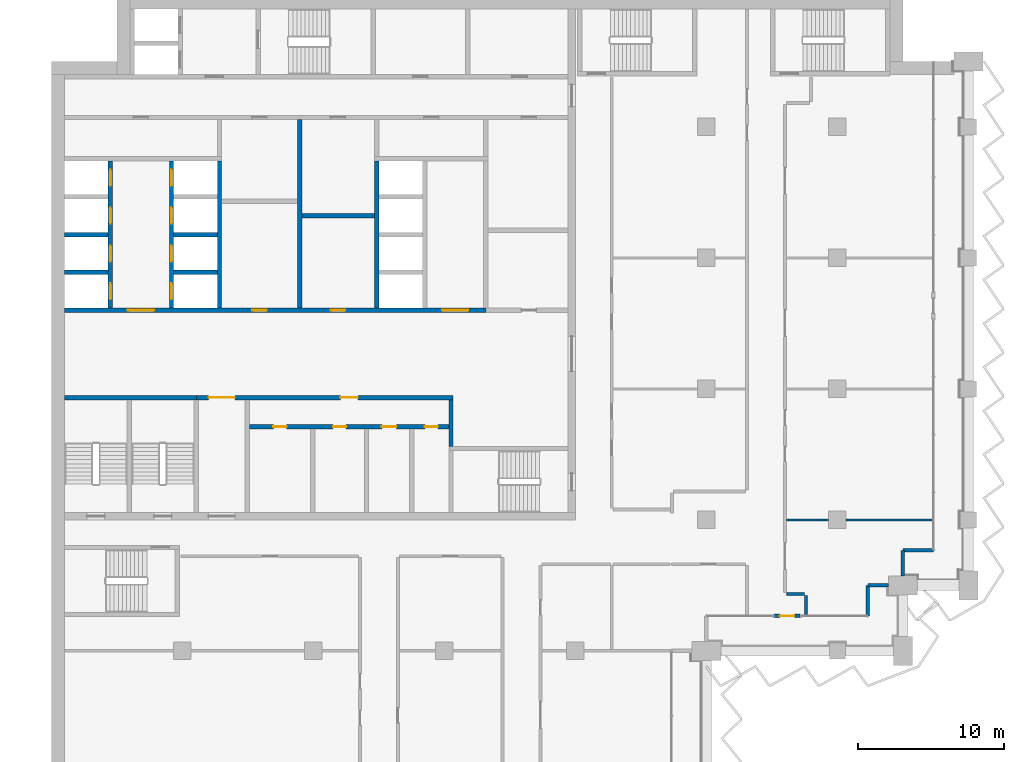
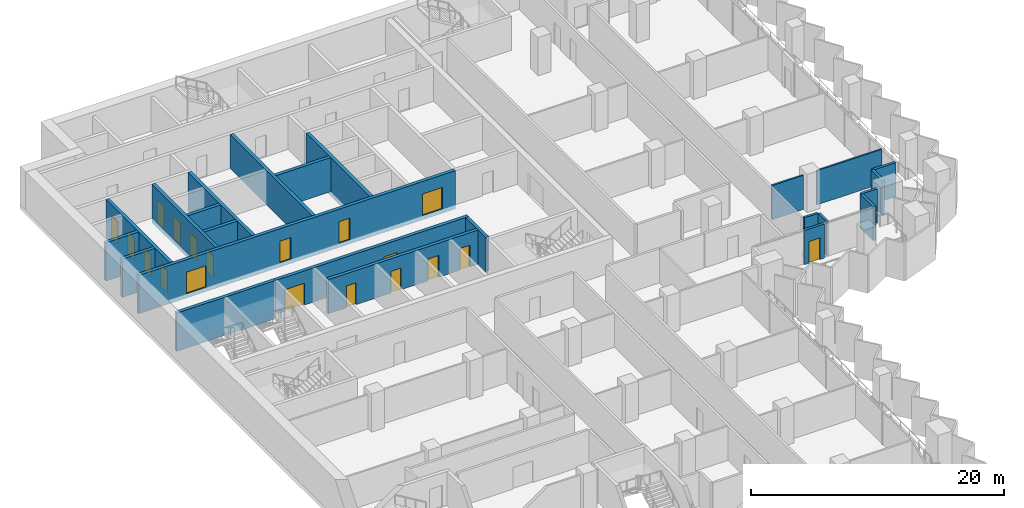
# One storey, part 13 of 23: 24 walls, 19 doors, 19 openings.
"""IFC4 building model written with IfcOpenShell, lengths in metres."""

import ifcopenshell
import ifcopenshell.guid

model = None  # the IFC model being written
_history = None  # IfcOwnerHistory: only IFC2X3 demands one
_inside = {}  # id of a spatial element -> (the spatial element, [elements in it])
_under = {}  # id of a project, library or spatial element -> (it, [spatial elements below it])
_declared = {}  # id of a project -> (the project, [libraries it declares])
_typed = {}  # id of a type object -> (the type object, [elements of that type])
_made_of = {}  # id of a material, layer set ... -> (it, [elements and type objects made of it])


def new_model(schema):
    """Start an empty IFC model of exactly this schema.

    Asked for "IFC4X3", IfcOpenShell would pick the latest addendum, in which some entities
    have other attributes; the version numbers below select the first issue.
    IFC2X3 requires an IfcOwnerHistory on every rooted entity: one is made here for all.
    """
    global model, _history
    if schema == "IFC4X3":
        model = ifcopenshell.file(schema_version=(4, 3, 0, 0))
    else:
        model = ifcopenshell.file(schema=schema)
    _inside.clear()
    _under.clear()
    _declared.clear()
    _typed.clear()
    _made_of.clear()
    _history = None
    if model.schema == "IFC2X3":
        org = make("IfcOrganization", Name="unknown")
        user = make(
            "IfcPersonAndOrganization",
            ThePerson=make("IfcPerson", FamilyName="unknown"),
            TheOrganization=org,
        )
        app = make(
            "IfcApplication",
            ApplicationDeveloper=org,
            Version="unknown",
            ApplicationFullName="unknown",
            ApplicationIdentifier="unknown",
        )
        _history = make(
            "IfcOwnerHistory",
            OwningUser=user,
            OwningApplication=app,
            ChangeAction="ADDED",
            CreationDate=0,
        )
    return model


def make(cls, **values):
    """One entity of the class cls with the attributes given. An attribute that is None is left unset."""
    return model.create_entity(
        cls, **{name: value for name, value in values.items() if value is not None}
    )


def rooted(cls, **values):
    """An entity with a GlobalId (a new one), such as an element, a storey or a relation."""
    return make(cls, GlobalId=ifcopenshell.guid.new(), OwnerHistory=_history, **values)


def si_unit(unit_type, name, prefix=None):
    """IfcSIUnit, for example si_unit("LENGTHUNIT", "METRE", prefix="MILLI")."""
    return make("IfcSIUnit", UnitType=unit_type, Prefix=prefix, Name=name)


def assignment(units):
    """IfcUnitAssignment: the units of a project."""
    return None if units is None else make("IfcUnitAssignment", Units=units)


def point(xyz):
    """IfcCartesianPoint."""
    return None if xyz is None else make("IfcCartesianPoint", Coordinates=xyz)


def direction(xyz):
    """IfcDirection."""
    return None if xyz is None else make("IfcDirection", DirectionRatios=xyz)


def frame(location, z_axis=None, x_axis=None):
    """IfcAxis2Placement3D, a coordinate frame: its origin and axes. An axis left out is left unset."""
    return make(
        "IfcAxis2Placement3D",
        Location=point(location),
        Axis=direction(z_axis),
        RefDirection=direction(x_axis),
    )


def frame_2d(location, x_axis=None):
    """IfcAxis2Placement2D, a coordinate frame in the plane: its origin and x axis."""
    return make(
        "IfcAxis2Placement2D", Location=point(location), RefDirection=direction(x_axis)
    )


def origin():
    """The frame at (0, 0, 0) with its axes left unset."""
    return frame((0.0, 0.0, 0.0))


def place(relative_to, where):
    """IfcLocalPlacement: puts the frame where relative to a parent placement (None: the world)."""
    return make(
        "IfcLocalPlacement", PlacementRelTo=relative_to, RelativePlacement=where
    )


def context(
    kind, dimensions, precision=None, world=None, true_north=None, identifier=None
):
    """IfcGeometricRepresentationContext, for example the 3D "Model" context."""
    return make(
        "IfcGeometricRepresentationContext",
        ContextIdentifier=identifier,
        ContextType=kind,
        CoordinateSpaceDimension=dimensions,
        Precision=precision,
        WorldCoordinateSystem=world,
        TrueNorth=true_north,
    )


def subcontext(parent, identifier, kind, view, scale=None):
    """IfcGeometricRepresentationSubContext, for example "Body" below "Model"."""
    return make(
        "IfcGeometricRepresentationSubContext",
        ContextIdentifier=identifier,
        ContextType=kind,
        ParentContext=parent,
        TargetScale=scale,
        TargetView=view,
    )


def project(units=None, contexts=None):
    """IfcProject with its units and contexts."""
    return rooted(
        "IfcProject",
        Name="project",
        RepresentationContexts=contexts,
        UnitsInContext=assignment(units),
    )


def spatial(cls, under=None, at=None, **own):
    """A site, building, storey or space (cls), placed at a placement, below another one or the project."""
    s = rooted(cls, ObjectPlacement=at, **own)
    if under is not None:
        _under.setdefault(under.id(), (under, []))[1].append(s)
    return s


def profile(cls, at=None, kind="AREA", **sizes):
    """A parametric profile (cls). Its sizes go by their IFC names, for example OverallWidth=200.0."""
    return make(cls, ProfileType=kind, Position=at, **sizes)


def rectangle(**sizes):
    """IfcRectangleProfileDef."""
    return profile("IfcRectangleProfileDef", **sizes)


def extrude(swept, where, along, depth):
    """IfcExtrudedAreaSolid: the profile swept, set in the frame where, extruded along a direction by depth."""
    return make(
        "IfcExtrudedAreaSolid",
        SweptArea=swept,
        Position=where,
        ExtrudedDirection=direction(along),
        Depth=depth,
    )


def shape(context_of_items, identifier, shape_type, items):
    """IfcShapeRepresentation: the items that make up one representation, for example the "Body"."""
    return make(
        "IfcShapeRepresentation",
        ContextOfItems=context_of_items,
        RepresentationIdentifier=identifier,
        RepresentationType=shape_type,
        Items=items,
    )


def material(Name=None, Category=None):
    """IfcMaterial."""
    return make("IfcMaterial", Name=Name, Category=Category)


def layer(
    of_material, thickness, ventilated=None, Name=None, Category=None, Priority=None
):
    """IfcMaterialLayer: one layer of a wall or slab, of a material (None: an air gap)."""
    return make(
        "IfcMaterialLayer",
        Material=of_material,
        LayerThickness=thickness,
        IsVentilated=ventilated,
        Name=Name,
        Category=Category,
        Priority=Priority,
    )


def layer_set(layers, Name=None):
    """IfcMaterialLayerSet."""
    return make("IfcMaterialLayerSet", MaterialLayers=layers, LayerSetName=Name)


def made_of(thing, what):
    """Note that an element or type object is made of a material, layer set ...; save() writes the relation."""
    if what is not None:
        _made_of.setdefault(what.id(), (what, []))[1].append(thing)
    return thing


def type_object(cls, material=None, **own):
    """A type object (cls), such as IfcWallType, which elements share."""
    return made_of(rooted(cls, **own), material)


def element(
    cls,
    number,
    at=None,
    inside=None,
    cuts=None,
    type_object=None,
    material=None,
    context=None,
    identifier="Body",
    shape_type=None,
    held_by="IfcProductDefinitionShape",
    body=None,
    shapes=None,
    **own,
):
    """One element of the class cls, such as IfcWall. Its Tag is "e" and its number.

    at: its placement. inside: the storey or other place that contains it. cuts: it is an
    opening in that element (IfcRelVoidsElement). A single representation is given by context,
    identifier, shape_type and body (its items); several are given by shapes. held_by: the class
    of the entity that holds the representations. save() writes the other relations.
    """
    e = rooted(cls, Tag="e%d" % number, ObjectPlacement=at, **own)
    if body is not None:
        shapes = [shape(context, identifier, shape_type, body)]
    if shapes is not None:
        e.Representation = make(held_by, Representations=shapes)
    if inside is not None:
        _inside.setdefault(inside.id(), (inside, []))[1].append(e)
    if cuts is not None:
        rooted(
            "IfcRelVoidsElement", RelatingBuildingElement=cuts, RelatedOpeningElement=e
        )
    if type_object is not None:
        _typed.setdefault(type_object.id(), (type_object, []))[1].append(e)
    return made_of(e, material)


def fill(opening, filler):
    """IfcRelFillsElement: the door or window that sits in an opening."""
    return rooted(
        "IfcRelFillsElement",
        RelatingOpeningElement=opening,
        RelatedBuildingElement=filler,
    )


def aggregate(whole, parts):
    """IfcRelAggregates: a whole, such as a stair, and the parts it consists of."""
    return rooted("IfcRelAggregates", RelatingObject=whole, RelatedObjects=parts)


def save(model, path):
    """Write the relations noted so far, then the file.

    IfcRelAggregates (storeys below a building ...), IfcRelContainedInSpatialStructure (elements
    in a storey), IfcRelDefinesByType, IfcRelAssociatesMaterial and IfcRelDeclares: one each for
    every whole, place, type object, material and project.
    """
    for whole, parts in _under.values():
        aggregate(whole, parts)
    for where, things in _inside.values():
        rooted(
            "IfcRelContainedInSpatialStructure",
            RelatedElements=things,
            RelatingStructure=where,
        )
    for kind, things in _typed.values():
        rooted("IfcRelDefinesByType", RelatedObjects=things, RelatingType=kind)
    for what, things in _made_of.values():
        rooted("IfcRelAssociatesMaterial", RelatedObjects=things, RelatingMaterial=what)
    for by, libraries in _declared.values():
        rooted("IfcRelDeclares", RelatingContext=by, RelatedDefinitions=libraries)
    model.write(path)


model = new_model("IFC4")

# Units and contexts
model_context = context("Model", 3, precision=1e-05, world=origin(), true_north=direction((0.0, 1.0)))
body_context = subcontext(model_context, "Body", "Model", "MODEL_VIEW")
ifc_project = project(units=[si_unit("LENGTHUNIT", "METRE"), si_unit("AREAUNIT", "SQUARE_METRE"), si_unit("VOLUMEUNIT", "CUBIC_METRE"), si_unit("PLANEANGLEUNIT", "RADIAN"), si_unit("MASSUNIT", "GRAM", prefix="KILO")], contexts=[model_context])

# Site, building, storey
site_placement = place(None, origin())
site = spatial("IfcSite", under=ifc_project, at=site_placement, CompositionType="ELEMENT")
building_placement = place(site_placement, origin())
building = spatial("IfcBuilding", under=site, at=building_placement, Name="Hunhe Ridgeline Campus", CompositionType="ELEMENT")
storey_placement = place(building_placement, frame((0.0, 0.0, 170.800048828125)))
storey = spatial("IfcBuildingStorey", under=building, at=storey_placement, Name="L43", CompositionType="ELEMENT", Elevation=170.800048828125)

# Wall, openings, doors
ifc_material_1 = material(Name="Masonry concrete blockwork", Category="masonry")
ifc_layer_1 = layer(ifc_material_1, 0.300048828125)
ifc_layer_set_1 = layer_set([ifc_layer_1], Name="Core room partition 300 concrete block")
wall_type_1 = type_object("IfcWallType", Name="Core room partition 300 concrete block", PredefinedType="PARTITIONING", material=ifc_layer_set_1)
wall_1_placement = place(storey_placement, frame((13.60009765625, 69.39990234375, 0.0), z_axis=(0.0, 0.0, 1.0), x_axis=(1.0, 0.0, 0.0)))
wall_1 = element("IfcWall", 1, at=wall_1_placement, inside=storey, type_object=wall_type_1, Name="L43 core partition 9", PredefinedType="PARTITIONING", context=body_context, shape_type="SweptSolid", body=[
    extrude(rectangle(XDim=13.699951171875, YDim=0.300048828125, at=frame_2d((6.85009765625, 0.0))), origin(), (0.0, 0.0, 1.0), 3.300048828125),
])
opening_1_placement = place(wall_1_placement, frame((1.64990234375, 0.0, 0.0)))
opening_1 = element("IfcOpeningElement", 2, at=opening_1_placement, cuts=wall_1, Name="Opening CD8", PredefinedType="OPENING", context=body_context, shape_type="SweptSolid", body=[
    extrude(rectangle(XDim=0.89990234375, YDim=2.10009765625, at=frame_2d((0.449951171875, 1.050048828125))), frame((0.0, 0.14990234375, 0.0), z_axis=(0.0, -1.0, 0.0), x_axis=(1.0, 0.0, 0.0)), (0.0, 0.0, 1.0), 0.300048828125),
])
opening_2_placement = place(wall_1_placement, frame((5.75, 0.0, 0.0)))
opening_2 = element("IfcOpeningElement", 3, at=opening_2_placement, cuts=wall_1, Name="Opening CD9", PredefinedType="OPENING", context=body_context, shape_type="SweptSolid", body=[
    extrude(rectangle(XDim=0.89990234375, YDim=2.10009765625, at=frame_2d((0.449951171875, 1.050048828125))), frame((0.0, 0.14990234375, 0.0), z_axis=(0.0, -1.0, 0.0), x_axis=(1.0, 0.0, 0.0)), (0.0, 0.0, 1.0), 0.300048828125),
])
opening_3_placement = place(wall_1_placement, frame((9.10009765625, 0.0, 0.0)))
opening_3 = element("IfcOpeningElement", 4, at=opening_3_placement, cuts=wall_1, Name="Opening CD10", PredefinedType="OPENING", context=body_context, shape_type="SweptSolid", body=[
    extrude(rectangle(XDim=1.0, YDim=2.10009765625, at=frame_2d((0.5, 1.050048828125))), frame((0.0, 0.14990234375, 0.0), z_axis=(0.0, -1.0, 0.0), x_axis=(1.0, 0.0, 0.0)), (0.0, 0.0, 1.0), 0.300048828125),
])
opening_4_placement = place(wall_1_placement, frame((12.050048828125, 0.0, 0.0)))
opening_4 = element("IfcOpeningElement", 5, at=opening_4_placement, cuts=wall_1, Name="Opening CD11", PredefinedType="OPENING", context=body_context, shape_type="SweptSolid", body=[
    extrude(rectangle(XDim=0.89990234375, YDim=2.10009765625, at=frame_2d((0.449951171875, 1.050048828125))), frame((0.0, 0.14990234375, 0.0), z_axis=(0.0, -1.0, 0.0), x_axis=(1.0, 0.0, 0.0)), (0.0, 0.0, 1.0), 0.300048828125),
])
ifc_material_2 = material(Name="Solid core timber door leaf", Category="wood")
door_type_1 = type_object("IfcDoorType", Name="Timber door 1000x2100", OperationType="SINGLE_SWING_LEFT", PredefinedType="DOOR", material=ifc_material_2)
door_1_placement = place(opening_3_placement, frame((1.0, 0.0, 0.0), z_axis=(0.0, 0.0, 1.0), x_axis=(-1.0, 0.0, 0.0)))
door_1 = element("IfcDoor", 6, at=door_1_placement, inside=storey, type_object=door_type_1, Name="L43 door WC3", OperationType="SINGLE_SWING_RIGHT", OverallHeight=2.10009765625, OverallWidth=1.0, PredefinedType="DOOR", context=body_context, shape_type="SweptSolid", body=[
    extrude(rectangle(XDim=1.0, YDim=2.10009765625, at=frame_2d((0.5, 1.050048828125))), frame((0.0, 0.02490234375, 0.0), z_axis=(0.0, -1.0, 0.0), x_axis=(1.0, 0.0, 0.0)), (0.0, 0.0, 1.0), 0.050048828125),
])
fill(opening_3, door_1)
door_type_2 = type_object("IfcDoorType", Name="Timber door 900x2100", OperationType="SINGLE_SWING_LEFT", PredefinedType="DOOR", material=ifc_material_2)
door_2_placement = place(opening_1_placement, frame((0.89990234375, 0.0, 0.0), z_axis=(0.0, 0.0, 1.0), x_axis=(-1.0, 0.0, 0.0)))
door_2 = element("IfcDoor", 7, at=door_2_placement, inside=storey, type_object=door_type_2, Name="L43 door WC1", OperationType="SINGLE_SWING_RIGHT", OverallHeight=2.10009765625, OverallWidth=0.89990234375, PredefinedType="DOOR", context=body_context, shape_type="SweptSolid", body=[
    extrude(rectangle(XDim=0.89990234375, YDim=2.10009765625, at=frame_2d((0.449951171875, 1.050048828125))), frame((0.0, 0.02490234375, 0.0), z_axis=(0.0, -1.0, 0.0), x_axis=(1.0, 0.0, 0.0)), (0.0, 0.0, 1.0), 0.050048828125),
])
fill(opening_1, door_2)
door_3_placement = place(opening_2_placement, frame((0.89990234375, 0.0, 0.0), z_axis=(0.0, 0.0, 1.0), x_axis=(-1.0, 0.0, 0.0)))
door_3 = element("IfcDoor", 8, at=door_3_placement, inside=storey, type_object=door_type_2, Name="L43 door WC2", OperationType="SINGLE_SWING_LEFT", OverallHeight=2.10009765625, OverallWidth=0.89990234375, PredefinedType="DOOR", context=body_context, shape_type="SweptSolid", body=[
    extrude(rectangle(XDim=0.89990234375, YDim=2.10009765625, at=frame_2d((0.449951171875, 1.050048828125))), frame((0.0, 0.02490234375, 0.0), z_axis=(0.0, -1.0, 0.0), x_axis=(1.0, 0.0, 0.0)), (0.0, 0.0, 1.0), 0.050048828125),
])
fill(opening_2, door_3)
door_4_placement = place(opening_4_placement, frame((0.89990234375, 0.0, 0.0), z_axis=(0.0, 0.0, 1.0), x_axis=(-1.0, 0.0, 0.0)))
door_4 = element("IfcDoor", 9, at=door_4_placement, inside=storey, type_object=door_type_2, Name="L43 door WC4", OperationType="SINGLE_SWING_LEFT", OverallHeight=2.10009765625, OverallWidth=0.89990234375, PredefinedType="DOOR", context=body_context, shape_type="SweptSolid", body=[
    extrude(rectangle(XDim=0.89990234375, YDim=2.10009765625, at=frame_2d((0.449951171875, 1.050048828125))), frame((0.0, 0.02490234375, 0.0), z_axis=(0.0, -1.0, 0.0), x_axis=(1.0, 0.0, 0.0)), (0.0, 0.0, 1.0), 0.050048828125),
])
fill(opening_4, door_4)

wall_2_placement = place(storey_placement, frame((9.949951171875, 71.39990234375, 0.0), z_axis=(0.0, 0.0, 1.0), x_axis=(1.0, 0.0, 0.0)))
wall_2 = element("IfcWall", 10, at=wall_2_placement, inside=storey, type_object=wall_type_1, Name="L43 core partition 11", PredefinedType="PARTITIONING", context=body_context, shape_type="SweptSolid", body=[
    extrude(rectangle(XDim=17.650146484375, YDim=0.300048828125, at=frame_2d((8.8251953125, 0.0))), origin(), (0.0, 0.0, 1.0), 3.300048828125),
])
opening_5_placement = place(wall_2_placement, frame((0.85009765625, 0.0, 0.0)))
opening_5 = element("IfcOpeningElement", 11, at=opening_5_placement, cuts=wall_2, Name="Opening CD7", PredefinedType="OPENING", context=body_context, shape_type="SweptSolid", body=[
    extrude(rectangle(XDim=1.800048828125, YDim=2.10009765625, at=frame_2d((0.89990234375, 1.050048828125))), frame((0.0, 0.14990234375, 0.0), z_axis=(0.0, -1.0, 0.0), x_axis=(1.0, 0.0, 0.0)), (0.0, 0.0, 1.0), 0.300048828125),
])
opening_6_placement = place(wall_2_placement, frame((9.89990234375, 0.0, 0.0)))
opening_6 = element("IfcOpeningElement", 12, at=opening_6_placement, cuts=wall_2, Name="Opening CD12", PredefinedType="OPENING", context=body_context, shape_type="SweptSolid", body=[
    extrude(rectangle(XDim=1.199951171875, YDim=2.10009765625, at=frame_2d((0.60009765625, 1.050048828125))), frame((0.0, 0.14990234375, 0.0), z_axis=(0.0, -1.0, 0.0), x_axis=(1.0, 0.0, 0.0)), (0.0, 0.0, 1.0), 0.300048828125),
])
ifc_material_3 = material(Name="Anodised aluminium and glass", Category="aluminium")
door_type_3 = type_object("IfcDoorType", Name="Glazed double door 1800x2100", OperationType="DOUBLE_DOOR_SINGLE_SWING", PredefinedType="DOOR", material=ifc_material_3)
door_5_placement = place(opening_5_placement, origin())
door_5 = element("IfcDoor", 13, at=door_5_placement, inside=storey, type_object=door_type_3, Name="L43 door VEST-HALL", OperationType="DOUBLE_DOOR_SINGLE_SWING", OverallHeight=2.10009765625, OverallWidth=1.800048828125, PredefinedType="DOOR", context=body_context, shape_type="SweptSolid", body=[
    extrude(rectangle(XDim=1.800048828125, YDim=2.10009765625, at=frame_2d((0.89990234375, 1.050048828125))), frame((0.0, 0.02490234375, 0.0), z_axis=(0.0, -1.0, 0.0), x_axis=(1.0, 0.0, 0.0)), (0.0, 0.0, 1.0), 0.050048828125),
])
fill(opening_5, door_5)
door_type_4 = type_object("IfcDoorType", Name="Timber door 1200x2100", OperationType="SINGLE_SWING_LEFT", PredefinedType="DOOR", material=ifc_material_2)
door_6_placement = place(opening_6_placement, origin())
door_6 = element("IfcDoor", 14, at=door_6_placement, inside=storey, type_object=door_type_4, Name="L43 door WCL2-HALL", OperationType="SINGLE_SWING_LEFT", OverallHeight=2.10009765625, OverallWidth=1.199951171875, PredefinedType="DOOR", context=body_context, shape_type="SweptSolid", body=[
    extrude(rectangle(XDim=1.199951171875, YDim=2.10009765625, at=frame_2d((0.60009765625, 1.050048828125))), frame((0.0, 0.02490234375, 0.0), z_axis=(0.0, -1.0, 0.0), x_axis=(1.0, 0.0, 0.0)), (0.0, 0.0, 1.0), 0.050048828125),
])
fill(opening_6, door_6)

# Walls
wall_3_placement = place(storey_placement, frame((17.199951171875, 83.89990234375, 0.0), z_axis=(0.0, 0.0, 1.0), x_axis=(1.0, 0.0, 0.0)))
element("IfcWall", 15, at=wall_3_placement, inside=storey, type_object=wall_type_1, Name="L43 core partition 21", PredefinedType="PARTITIONING", context=body_context, shape_type="SweptSolid", body=[
    extrude(rectangle(XDim=5.0, YDim=0.300048828125, at=frame_2d((2.5, 0.0))), origin(), (0.0, 0.0, 1.0), 3.300048828125),
])
wall_4_placement = place(storey_placement, frame((17.050048828125, 77.550048828125, 0.0), z_axis=(0.0, 0.0, 1.0), x_axis=(0.0, 1.0, 0.0)))
element("IfcWall", 16, at=wall_4_placement, inside=storey, type_object=wall_type_1, Name="L43 core partition 45", PredefinedType="PARTITIONING", context=body_context, shape_type="SweptSolid", body=[
    extrude(rectangle(XDim=12.949951171875, YDim=0.300048828125, at=frame_2d((6.47509765625, 0.0))), origin(), (0.0, 0.0, 1.0), 3.300048828125),
])
wall_5_placement = place(storey_placement, frame((27.449951171875, 68.050048828125, 0.0), z_axis=(0.0, 0.0, 1.0), x_axis=(0.0, 1.0, 0.0)))
element("IfcWall", 17, at=wall_5_placement, inside=storey, type_object=wall_type_1, Name="L43 core partition 56", PredefinedType="PARTITIONING", context=body_context, shape_type="SweptSolid", body=[
    extrude(rectangle(XDim=3.199951171875, YDim=0.300048828125, at=frame_2d((1.60009765625, 0.0))), origin(), (0.0, 0.0, 1.0), 3.300048828125),
])
ifc_material_4 = material(Name="Concrete C30", Category="concrete")
ifc_layer_2 = layer(ifc_material_4, 0.25)
ifc_layer_set_2 = layer_set([ifc_layer_2], Name="Corner return wall 250 Concrete C30")
wall_type_2 = type_object("IfcWallType", Name="Corner return wall 250 Concrete C30", PredefinedType="SOLIDWALL", material=ifc_layer_set_2)
wall_6_placement = place(storey_placement, frame((56.09912109375, 56.40087890625, 0.0), z_axis=(0.0, 0.0, 1.0), x_axis=(0.00011626555, 0.999999993241, 0.0)))
element("IfcWall", 18, at=wall_6_placement, inside=storey, type_object=wall_type_2, Name="Corner return wall 4", PredefinedType="SOLIDWALL", context=body_context, shape_type="SweptSolid", body=[
    extrude(rectangle(XDim=2.099853515625, YDim=0.25, at=frame_2d((1.0498046875, 0.0))), origin(), (0.0, 0.0, 1.0), 3.300048828125),
])
wall_7_placement = place(storey_placement, frame((56.099365234375, 58.500732421875, 0.0), z_axis=(0.0, 0.0, 1.0), x_axis=(0.999999984809, 0.000174307127, 0.0)))
element("IfcWall", 19, at=wall_7_placement, inside=storey, type_object=wall_type_2, Name="Corner return wall 5", PredefinedType="SOLIDWALL", context=body_context, shape_type="SweptSolid", body=[
    extrude(rectangle(XDim=1.400634765625, YDim=0.25, at=frame_2d((0.7001953125, 0.0))), origin(), (0.0, 0.0, 1.0), 3.300048828125),
])
wall_8_placement = place(storey_placement, frame((58.4990234375, 59.14990234375, 0.0), z_axis=(0.0, 0.0, 1.0), x_axis=(0.000139450563, 0.999999990277, 0.0)))
element("IfcWall", 20, at=wall_8_placement, inside=storey, type_object=wall_type_2, Name="Corner return wall 6", PredefinedType="SOLIDWALL", context=body_context, shape_type="SweptSolid", body=[
    extrude(rectangle(XDim=1.750732421875, YDim=0.25, at=frame_2d((0.87548828125, 0.0))), origin(), (0.0, 0.0, 1.0), 3.300048828125),
])
wall_9_placement = place(storey_placement, frame((58.499267578125, 60.900634765625, 0.0), z_axis=(0.0, 0.0, 1.0), x_axis=(0.999999993241, 0.00011626555, 0.0)))
element("IfcWall", 21, at=wall_9_placement, inside=storey, type_object=wall_type_2, Name="Corner return wall 7", PredefinedType="SOLIDWALL", context=body_context, shape_type="SweptSolid", body=[
    extrude(rectangle(XDim=2.099853515625, YDim=0.25, at=frame_2d((1.0498046875, 0.0))), origin(), (0.0, 0.0, 1.0), 3.300048828125),
])
ifc_material_5 = material(Name="Gypsum board partition")
ifc_layer_3 = layer(ifc_material_5, 0.199951171875)
ifc_layer_set_3 = layer_set([ifc_layer_3], Name="Corridor partition 200 gypsum board on steel studs")
wall_type_3 = type_object("IfcWallType", Name="Corridor partition 200 gypsum board on steel studs", PredefinedType="PARTITIONING", material=ifc_layer_set_3)
wall_10_placement = place(storey_placement, frame((50.5, 57.90087890625, 0.0), z_axis=(0.0, 0.0, 1.0), x_axis=(1.0, 0.0, 0.0)))
element("IfcWall", 22, at=wall_10_placement, inside=storey, type_object=wall_type_3, Name="F-L43-wall-042", PredefinedType="PARTITIONING", context=body_context, shape_type="SweptSolid", body=[
    extrude(rectangle(XDim=1.2490234375, YDim=0.199951171875, at=frame_2d((0.62451171875, 0.0))), origin(), (0.0, 0.0, 1.0), 3.300048828125),
])
wall_11_placement = place(storey_placement, frame((51.84912109375, 57.801025390625, 0.0), z_axis=(0.0, 0.0, 1.0), x_axis=(0.0, -1.0, 0.0)))
element("IfcWall", 23, at=wall_11_placement, inside=storey, type_object=wall_type_3, Name="F-L43-wall-079", PredefinedType="PARTITIONING", context=body_context, shape_type="SweptSolid", body=[
    extrude(rectangle(XDim=1.345947265625, YDim=0.199951171875, at=frame_2d((0.6728515625, 0.0))), origin(), (0.0, 0.0, 1.0), 3.300048828125),
])

# Wall, opening, door
ifc_layer_4 = layer(ifc_material_4, 0.25)
ifc_layer_set_4 = layer_set([ifc_layer_4], Name="Loggia door pier wall 250 Concrete C30")
wall_type_4 = type_object("IfcWallType", Name="Loggia door pier wall 250 Concrete C30", PredefinedType="SOLIDWALL", material=ifc_layer_set_4)
wall_12_placement = place(storey_placement, frame((49.6494140625, 56.40087890625, 0.0), z_axis=(0.0, 0.0, 1.0), x_axis=(1.0, 0.0, 0.0)))
wall_12 = element("IfcWall", 24, at=wall_12_placement, inside=storey, type_object=wall_type_4, Name="Loggia door pier 3", PredefinedType="SOLIDWALL", context=body_context, shape_type="SweptSolid", body=[
    extrude(rectangle(XDim=1.800048828125, YDim=0.25, at=frame_2d((0.89990234375, 0.0))), origin(), (0.0, 0.0, 1.0), 3.300048828125),
])
opening_7_placement = place(wall_12_placement, frame((0.39990234375, 0.0, 0.0)))
opening_7 = element("IfcOpeningElement", 25, at=opening_7_placement, cuts=wall_12, Name="Opening BD306", PredefinedType="OPENING", context=body_context, shape_type="SweptSolid", body=[
    extrude(rectangle(XDim=1.0, YDim=2.10009765625, at=frame_2d((0.5, 1.050048828125))), frame((0.0, 0.125, 0.0), z_axis=(0.0, -1.0, 0.0), x_axis=(1.0, 0.0, 0.0)), (0.0, 0.0, 1.0), 0.25),
])
ifc_material_6 = material(Name="Aluminium 6063", Category="aluminium")
door_type_5 = type_object("IfcDoorType", Name="Loggia glazed door 1000x2100", OperationType="NOTDEFINED", PredefinedType="DOOR", material=ifc_material_6)
door_7_placement = place(opening_7_placement, frame((1.0, 0.0, 0.0), z_axis=(0.0, 0.0, 1.0), x_axis=(-1.0, 0.0, 0.0)))
door_7 = element("IfcDoor", 26, at=door_7_placement, inside=storey, type_object=door_type_5, Name="Loggia door BD306", OperationType="SINGLE_SWING_LEFT", OverallHeight=2.10009765625, OverallWidth=1.0, PredefinedType="DOOR", context=body_context, shape_type="SweptSolid", body=[
    extrude(rectangle(XDim=1.0, YDim=2.10009765625, at=frame_2d((0.5, 1.050048828125))), frame((0.0, 0.02490234375, 0.0), z_axis=(0.0, -1.0, 0.0), x_axis=(1.0, 0.0, 0.0)), (0.0, 0.0, 1.0), 0.050048828125),
])
fill(opening_7, door_7)

# Walls
ifc_layer_5 = layer(ifc_material_5, 0.14990234375)
ifc_layer_set_5 = layer_set([ifc_layer_5], Name="Room partition 150 gypsum board on steel studs")
wall_type_5 = type_object("IfcWallType", Name="Room partition 150 gypsum board on steel studs", PredefinedType="PARTITIONING", material=ifc_layer_set_5)
wall_13_placement = place(storey_placement, frame((50.5, 63.0, 0.0), z_axis=(0.0, 0.0, 1.0), x_axis=(1.0, 0.0, 0.0)))
element("IfcWall", 27, at=wall_13_placement, inside=storey, type_object=wall_type_5, Name="F-L43-wall-048", PredefinedType="PARTITIONING", context=body_context, shape_type="SweptSolid", body=[
    extrude(rectangle(XDim=2.89990234375, YDim=0.14990234375, at=frame_2d((1.449951171875, 0.0))), origin(), (0.0, 0.0, 1.0), 3.300048828125),
])
wall_14_placement = place(storey_placement, frame((54.60009765625, 63.0, 0.0), z_axis=(0.0, 0.0, 1.0), x_axis=(1.0, 0.0, 0.0)))
element("IfcWall", 28, at=wall_14_placement, inside=storey, type_object=wall_type_5, Name="F-L43-wall-049", PredefinedType="PARTITIONING", context=body_context, shape_type="SweptSolid", body=[
    extrude(rectangle(XDim=5.94482421875, YDim=0.14990234375, at=frame_2d((2.972412109375, 0.0))), origin(), (0.0, 0.0, 1.0), 3.300048828125),
])

# Wall, openings, doors
ifc_material_7 = material(Name="Concrete C70", Category="concrete")
ifc_layer_6 = layer(ifc_material_7, 0.300048828125)
ifc_layer_set_6 = layer_set([ifc_layer_6], Name="Shaft wall 300 reinforced concrete C70")
wall_type_6 = type_object("IfcWallType", Name="Shaft wall 300 reinforced concrete C70", PredefinedType="SOLIDWALL", material=ifc_layer_set_6)
wall_15_placement = place(storey_placement, frame((0.89990234375, 77.39990234375, -0.400146484375), z_axis=(0.0, 0.0, 1.0), x_axis=(1.0, 0.0, 0.0)))
wall_15 = element("IfcWall", 29, at=wall_15_placement, inside=storey, type_object=wall_type_6, Name="L43 core wall 12", PredefinedType="SOLIDWALL", context=body_context, shape_type="SweptSolid", body=[
    extrude(rectangle(XDim=28.9501953125, YDim=0.300048828125, at=frame_2d((14.47509765625, 0.0))), origin(), (0.0, 0.0, 1.0), 3.7001953125),
])
opening_8_placement = place(wall_15_placement, frame((4.35009765625, 0.0, 0.39990234375)))
opening_8 = element("IfcOpeningElement", 30, at=opening_8_placement, cuts=wall_15, Name="Opening CD1", PredefinedType="OPENING", context=body_context, shape_type="SweptSolid", body=[
    extrude(rectangle(XDim=1.800048828125, YDim=2.10009765625, at=frame_2d((0.89990234375, 1.050048828125))), frame((0.0, 0.14990234375, 0.0), z_axis=(0.0, -1.0, 0.0), x_axis=(1.0, 0.0, 0.0)), (0.0, 0.0, 1.0), 0.300048828125),
])
opening_9_placement = place(wall_15_placement, frame((25.949951171875, 0.0, 0.39990234375)))
opening_9 = element("IfcOpeningElement", 31, at=opening_9_placement, cuts=wall_15, Name="Opening CD2", PredefinedType="OPENING", context=body_context, shape_type="SweptSolid", body=[
    extrude(rectangle(XDim=1.800048828125, YDim=2.10009765625, at=frame_2d((0.89990234375, 1.050048828125))), frame((0.0, 0.14990234375, 0.0), z_axis=(0.0, -1.0, 0.0), x_axis=(1.0, 0.0, 0.0)), (0.0, 0.0, 1.0), 0.300048828125),
])
opening_10_placement = place(wall_15_placement, frame((12.89990234375, 0.0, 0.39990234375)))
opening_10 = element("IfcOpeningElement", 32, at=opening_10_placement, cuts=wall_15, Name="Opening CD28", PredefinedType="OPENING", context=body_context, shape_type="SweptSolid", body=[
    extrude(rectangle(XDim=1.0, YDim=2.10009765625, at=frame_2d((0.5, 1.050048828125))), frame((0.0, 0.14990234375, 0.0), z_axis=(0.0, -1.0, 0.0), x_axis=(1.0, 0.0, 0.0)), (0.0, 0.0, 1.0), 0.300048828125),
])
opening_11_placement = place(wall_15_placement, frame((18.300048828125, 0.0, 0.39990234375)))
opening_11 = element("IfcOpeningElement", 33, at=opening_11_placement, cuts=wall_15, Name="Opening CD30", PredefinedType="OPENING", context=body_context, shape_type="SweptSolid", body=[
    extrude(rectangle(XDim=1.0, YDim=2.10009765625, at=frame_2d((0.5, 1.050048828125))), frame((0.0, 0.14990234375, 0.0), z_axis=(0.0, -1.0, 0.0), x_axis=(1.0, 0.0, 0.0)), (0.0, 0.0, 1.0), 0.300048828125),
])
ifc_material_8 = material(Name="Hollow metal fire door leaf")
door_type_6 = type_object("IfcDoorType", Name="Lobby door 1800x2100 FD60", OperationType="SINGLE_SWING_LEFT", PredefinedType="DOOR", material=ifc_material_8)
door_8_placement = place(opening_8_placement, frame((1.800048828125, 0.0, 0.0), z_axis=(0.0, 0.0, 1.0), x_axis=(-1.0, 0.0, 0.0)))
door_8 = element("IfcDoor", 34, at=door_8_placement, inside=storey, type_object=door_type_6, Name="L43 door LOB-LR", OperationType="SINGLE_SWING_RIGHT", OverallHeight=2.10009765625, OverallWidth=1.800048828125, PredefinedType="DOOR", context=body_context, shape_type="SweptSolid", body=[
    extrude(rectangle(XDim=1.800048828125, YDim=2.10009765625, at=frame_2d((0.89990234375, 1.050048828125))), frame((0.0, 0.02490234375, 0.0), z_axis=(0.0, -1.0, 0.0), x_axis=(1.0, 0.0, 0.0)), (0.0, 0.0, 1.0), 0.050048828125),
])
fill(opening_8, door_8)
door_9_placement = place(opening_9_placement, frame((1.800048828125, 0.0, 0.0), z_axis=(0.0, 0.0, 1.0), x_axis=(-1.0, 0.0, 0.0)))
door_9 = element("IfcDoor", 35, at=door_9_placement, inside=storey, type_object=door_type_6, Name="L43 door LOB-SH", OperationType="SINGLE_SWING_LEFT", OverallHeight=2.10009765625, OverallWidth=1.800048828125, PredefinedType="DOOR", context=body_context, shape_type="SweptSolid", body=[
    extrude(rectangle(XDim=1.800048828125, YDim=2.10009765625, at=frame_2d((0.89990234375, 1.050048828125))), frame((0.0, 0.02490234375, 0.0), z_axis=(0.0, -1.0, 0.0), x_axis=(1.0, 0.0, 0.0)), (0.0, 0.0, 1.0), 0.050048828125),
])
fill(opening_9, door_9)
door_10_placement = place(opening_10_placement, origin())
door_10 = element("IfcDoor", 36, at=door_10_placement, inside=storey, type_object=door_type_1, Name="L43 door VD-HR0", OperationType="SINGLE_SWING_RIGHT", OverallHeight=2.10009765625, OverallWidth=1.0, PredefinedType="DOOR", context=body_context, shape_type="SweptSolid", body=[
    extrude(rectangle(XDim=1.0, YDim=2.10009765625, at=frame_2d((0.5, 1.050048828125))), frame((0.0, 0.02490234375, 0.0), z_axis=(0.0, -1.0, 0.0), x_axis=(1.0, 0.0, 0.0)), (0.0, 0.0, 1.0), 0.050048828125),
])
fill(opening_10, door_10)
door_11_placement = place(opening_11_placement, origin())
door_11 = element("IfcDoor", 37, at=door_11_placement, inside=storey, type_object=door_type_1, Name="L43 door VD-HR2", OperationType="SINGLE_SWING_RIGHT", OverallHeight=2.10009765625, OverallWidth=1.0, PredefinedType="DOOR", context=body_context, shape_type="SweptSolid", body=[
    extrude(rectangle(XDim=1.0, YDim=2.10009765625, at=frame_2d((0.5, 1.050048828125))), frame((0.0, 0.02490234375, 0.0), z_axis=(0.0, -1.0, 0.0), x_axis=(1.0, 0.0, 0.0)), (0.0, 0.0, 1.0), 0.050048828125),
])
fill(opening_11, door_11)

# Walls
for number, where, z_axis, x_axis, name in (
    (38, (0.89990234375, 80.0, -0.400146484375), (0.0, 0.0, 1.0), (1.0, 0.0, 0.0), "L43 core wall 14"),
    (39, (8.39990234375, 80.0, -0.400146484375), (0.0, 0.0, 1.0), (1.0, 0.0, 0.0), "L43 core wall 15"),
    (40, (0.89990234375, 82.60009765625, -0.400146484375), (0.0, 0.0, 1.0), (1.0, 0.0, 0.0), "L43 core wall 17"),
    (41, (8.39990234375, 82.60009765625, -0.400146484375), (0.0, 0.0, 1.0), (1.0, 0.0, 0.0), "L43 core wall 18"),
):
    element("IfcWall", number, at=place(storey_placement, frame(where, z_axis=z_axis, x_axis=x_axis)), inside=storey, type_object=wall_type_6, Name=name, PredefinedType="SOLIDWALL", context=body_context, shape_type="SweptSolid", body=[
        extrude(rectangle(XDim=3.0, YDim=0.300048828125, at=frame_2d((1.5, 0.0))), origin(), (0.0, 0.0, 1.0), 3.7001953125),
    ])

# Wall, openings, doors
wall_16_placement = place(storey_placement, frame((4.050048828125, 77.550048828125, -0.400146484375), z_axis=(0.0, 0.0, 1.0), x_axis=(0.0, 1.0, 0.0)))
wall_16 = element("IfcWall", 42, at=wall_16_placement, inside=storey, type_object=wall_type_6, Name="L43 core wall 33", PredefinedType="SOLIDWALL", context=body_context, shape_type="SweptSolid", body=[
    extrude(rectangle(XDim=10.099853515625, YDim=0.300048828125, at=frame_2d((5.0498046875, 0.0))), origin(), (0.0, 0.0, 1.0), 3.7001953125),
])
opening_12_placement = place(wall_16_placement, frame((0.60009765625, 0.0, 0.39990234375)))
opening_12 = element("IfcOpeningElement", 43, at=opening_12_placement, cuts=wall_16, Name="Opening LD-LR1", PredefinedType="OPENING", context=body_context, shape_type="SweptSolid", body=[
    extrude(rectangle(XDim=1.10009765625, YDim=2.10009765625, at=frame_2d((0.550048828125, 1.050048828125))), frame((0.0, 0.14990234375, 0.0), z_axis=(0.0, -1.0, 0.0), x_axis=(1.0, 0.0, 0.0)), (0.0, 0.0, 1.0), 0.300048828125),
])
opening_13_placement = place(wall_16_placement, frame((3.199951171875, 0.0, 0.39990234375)))
opening_13 = element("IfcOpeningElement", 44, at=opening_13_placement, cuts=wall_16, Name="Opening LD-LR2", PredefinedType="OPENING", context=body_context, shape_type="SweptSolid", body=[
    extrude(rectangle(XDim=1.10009765625, YDim=2.10009765625, at=frame_2d((0.550048828125, 1.050048828125))), frame((0.0, 0.14990234375, 0.0), z_axis=(0.0, -1.0, 0.0), x_axis=(1.0, 0.0, 0.0)), (0.0, 0.0, 1.0), 0.300048828125),
])
opening_14_placement = place(wall_16_placement, frame((5.800048828125, 0.0, 0.39990234375)))
opening_14 = element("IfcOpeningElement", 45, at=opening_14_placement, cuts=wall_16, Name="Opening LD-LR3", PredefinedType="OPENING", context=body_context, shape_type="SweptSolid", body=[
    extrude(rectangle(XDim=1.10009765625, YDim=2.10009765625, at=frame_2d((0.550048828125, 1.050048828125))), frame((0.0, 0.14990234375, 0.0), z_axis=(0.0, -1.0, 0.0), x_axis=(1.0, 0.0, 0.0)), (0.0, 0.0, 1.0), 0.300048828125),
])
opening_15_placement = place(wall_16_placement, frame((8.39990234375, 0.0, 0.39990234375)))
opening_15 = element("IfcOpeningElement", 46, at=opening_15_placement, cuts=wall_16, Name="Opening LD-LR4", PredefinedType="OPENING", context=body_context, shape_type="SweptSolid", body=[
    extrude(rectangle(XDim=1.10009765625, YDim=2.10009765625, at=frame_2d((0.550048828125, 1.050048828125))), frame((0.0, 0.14990234375, 0.0), z_axis=(0.0, -1.0, 0.0), x_axis=(1.0, 0.0, 0.0)), (0.0, 0.0, 1.0), 0.300048828125),
])
ifc_material_9 = material(Name="Stainless steel sliding leaves", Category="steel")
door_type_7 = type_object("IfcDoorType", Name="Landing door 1100x2100 FD120", OperationType="SLIDING_TO_LEFT", PredefinedType="DOOR", material=ifc_material_9)
door_12_placement = place(opening_12_placement, origin())
door_12 = element("IfcDoor", 47, at=door_12_placement, inside=storey, type_object=door_type_7, Name="L43 landing door LR1", OperationType="SLIDING_TO_RIGHT", OverallHeight=2.10009765625, OverallWidth=1.10009765625, PredefinedType="DOOR", context=body_context, shape_type="SweptSolid", body=[
    extrude(rectangle(XDim=1.10009765625, YDim=2.10009765625, at=frame_2d((0.550048828125, 1.050048828125))), frame((0.0, 0.02490234375, 0.0), z_axis=(0.0, -1.0, 0.0), x_axis=(1.0, 0.0, 0.0)), (0.0, 0.0, 1.0), 0.050048828125),
])
fill(opening_12, door_12)
door_13_placement = place(opening_13_placement, origin())
door_13 = element("IfcDoor", 48, at=door_13_placement, inside=storey, type_object=door_type_7, Name="L43 landing door LR2", OperationType="SLIDING_TO_LEFT", OverallHeight=2.10009765625, OverallWidth=1.10009765625, PredefinedType="DOOR", context=body_context, shape_type="SweptSolid", body=[
    extrude(rectangle(XDim=1.10009765625, YDim=2.10009765625, at=frame_2d((0.550048828125, 1.050048828125))), frame((0.0, 0.02490234375, 0.0), z_axis=(0.0, -1.0, 0.0), x_axis=(1.0, 0.0, 0.0)), (0.0, 0.0, 1.0), 0.050048828125),
])
fill(opening_13, door_13)
door_14_placement = place(opening_14_placement, origin())
door_14 = element("IfcDoor", 49, at=door_14_placement, inside=storey, type_object=door_type_7, Name="L43 landing door LR3", OperationType="SLIDING_TO_RIGHT", OverallHeight=2.10009765625, OverallWidth=1.10009765625, PredefinedType="DOOR", context=body_context, shape_type="SweptSolid", body=[
    extrude(rectangle(XDim=1.10009765625, YDim=2.10009765625, at=frame_2d((0.550048828125, 1.050048828125))), frame((0.0, 0.02490234375, 0.0), z_axis=(0.0, -1.0, 0.0), x_axis=(1.0, 0.0, 0.0)), (0.0, 0.0, 1.0), 0.050048828125),
])
fill(opening_14, door_14)
door_15_placement = place(opening_15_placement, origin())
door_15 = element("IfcDoor", 50, at=door_15_placement, inside=storey, type_object=door_type_7, Name="L43 landing door LR4", OperationType="SLIDING_TO_LEFT", OverallHeight=2.10009765625, OverallWidth=1.10009765625, PredefinedType="DOOR", context=body_context, shape_type="SweptSolid", body=[
    extrude(rectangle(XDim=1.10009765625, YDim=2.10009765625, at=frame_2d((0.550048828125, 1.050048828125))), frame((0.0, 0.02490234375, 0.0), z_axis=(0.0, -1.0, 0.0), x_axis=(1.0, 0.0, 0.0)), (0.0, 0.0, 1.0), 0.050048828125),
])
fill(opening_15, door_15)

wall_17_placement = place(storey_placement, frame((8.25, 77.550048828125, -0.400146484375), z_axis=(0.0, 0.0, 1.0), x_axis=(0.0, 1.0, 0.0)))
wall_17 = element("IfcWall", 51, at=wall_17_placement, inside=storey, type_object=wall_type_6, Name="L43 core wall 36", PredefinedType="SOLIDWALL", context=body_context, shape_type="SweptSolid", body=[
    extrude(rectangle(XDim=10.099853515625, YDim=0.300048828125, at=frame_2d((5.0498046875, 0.0))), origin(), (0.0, 0.0, 1.0), 3.7001953125),
])
opening_16_placement = place(wall_17_placement, frame((0.60009765625, 0.0, 0.39990234375)))
opening_16 = element("IfcOpeningElement", 52, at=opening_16_placement, cuts=wall_17, Name="Opening LD-LR5", PredefinedType="OPENING", context=body_context, shape_type="SweptSolid", body=[
    extrude(rectangle(XDim=1.10009765625, YDim=2.10009765625, at=frame_2d((0.550048828125, 1.050048828125))), frame((0.0, 0.14990234375, 0.0), z_axis=(0.0, -1.0, 0.0), x_axis=(1.0, 0.0, 0.0)), (0.0, 0.0, 1.0), 0.300048828125),
])
opening_17_placement = place(wall_17_placement, frame((3.199951171875, 0.0, 0.39990234375)))
opening_17 = element("IfcOpeningElement", 53, at=opening_17_placement, cuts=wall_17, Name="Opening LD-LR6", PredefinedType="OPENING", context=body_context, shape_type="SweptSolid", body=[
    extrude(rectangle(XDim=1.10009765625, YDim=2.10009765625, at=frame_2d((0.550048828125, 1.050048828125))), frame((0.0, 0.14990234375, 0.0), z_axis=(0.0, -1.0, 0.0), x_axis=(1.0, 0.0, 0.0)), (0.0, 0.0, 1.0), 0.300048828125),
])
opening_18_placement = place(wall_17_placement, frame((5.800048828125, 0.0, 0.39990234375)))
opening_18 = element("IfcOpeningElement", 54, at=opening_18_placement, cuts=wall_17, Name="Opening LD-LR7", PredefinedType="OPENING", context=body_context, shape_type="SweptSolid", body=[
    extrude(rectangle(XDim=1.10009765625, YDim=2.10009765625, at=frame_2d((0.550048828125, 1.050048828125))), frame((0.0, 0.14990234375, 0.0), z_axis=(0.0, -1.0, 0.0), x_axis=(1.0, 0.0, 0.0)), (0.0, 0.0, 1.0), 0.300048828125),
])
opening_19_placement = place(wall_17_placement, frame((8.39990234375, 0.0, 0.39990234375)))
opening_19 = element("IfcOpeningElement", 55, at=opening_19_placement, cuts=wall_17, Name="Opening LD-LR8", PredefinedType="OPENING", context=body_context, shape_type="SweptSolid", body=[
    extrude(rectangle(XDim=1.10009765625, YDim=2.10009765625, at=frame_2d((0.550048828125, 1.050048828125))), frame((0.0, 0.14990234375, 0.0), z_axis=(0.0, -1.0, 0.0), x_axis=(1.0, 0.0, 0.0)), (0.0, 0.0, 1.0), 0.300048828125),
])
door_16_placement = place(opening_16_placement, origin())
door_16 = element("IfcDoor", 56, at=door_16_placement, inside=storey, type_object=door_type_7, Name="L43 landing door LR5", OperationType="SLIDING_TO_RIGHT", OverallHeight=2.10009765625, OverallWidth=1.10009765625, PredefinedType="DOOR", context=body_context, shape_type="SweptSolid", body=[
    extrude(rectangle(XDim=1.10009765625, YDim=2.10009765625, at=frame_2d((0.550048828125, 1.050048828125))), frame((0.0, 0.02490234375, 0.0), z_axis=(0.0, -1.0, 0.0), x_axis=(1.0, 0.0, 0.0)), (0.0, 0.0, 1.0), 0.050048828125),
])
fill(opening_16, door_16)
door_17_placement = place(opening_17_placement, origin())
door_17 = element("IfcDoor", 57, at=door_17_placement, inside=storey, type_object=door_type_7, Name="L43 landing door LR6", OperationType="SLIDING_TO_LEFT", OverallHeight=2.10009765625, OverallWidth=1.10009765625, PredefinedType="DOOR", context=body_context, shape_type="SweptSolid", body=[
    extrude(rectangle(XDim=1.10009765625, YDim=2.10009765625, at=frame_2d((0.550048828125, 1.050048828125))), frame((0.0, 0.02490234375, 0.0), z_axis=(0.0, -1.0, 0.0), x_axis=(1.0, 0.0, 0.0)), (0.0, 0.0, 1.0), 0.050048828125),
])
fill(opening_17, door_17)
door_18_placement = place(opening_18_placement, origin())
door_18 = element("IfcDoor", 58, at=door_18_placement, inside=storey, type_object=door_type_7, Name="L43 landing door LR7", OperationType="SLIDING_TO_RIGHT", OverallHeight=2.10009765625, OverallWidth=1.10009765625, PredefinedType="DOOR", context=body_context, shape_type="SweptSolid", body=[
    extrude(rectangle(XDim=1.10009765625, YDim=2.10009765625, at=frame_2d((0.550048828125, 1.050048828125))), frame((0.0, 0.02490234375, 0.0), z_axis=(0.0, -1.0, 0.0), x_axis=(1.0, 0.0, 0.0)), (0.0, 0.0, 1.0), 0.050048828125),
])
fill(opening_18, door_18)
door_19_placement = place(opening_19_placement, origin())
door_19 = element("IfcDoor", 59, at=door_19_placement, inside=storey, type_object=door_type_7, Name="L43 landing door LR8", OperationType="SLIDING_TO_LEFT", OverallHeight=2.10009765625, OverallWidth=1.10009765625, PredefinedType="DOOR", context=body_context, shape_type="SweptSolid", body=[
    extrude(rectangle(XDim=1.10009765625, YDim=2.10009765625, at=frame_2d((0.550048828125, 1.050048828125))), frame((0.0, 0.02490234375, 0.0), z_axis=(0.0, -1.0, 0.0), x_axis=(1.0, 0.0, 0.0)), (0.0, 0.0, 1.0), 0.050048828125),
])
fill(opening_19, door_19)

# Walls
for number, where, z_axis, x_axis, name in (
    (60, (11.550048828125, 77.550048828125, -0.400146484375), (0.0, 0.0, 1.0), (0.0, 1.0, 0.0), "L43 core wall 41"),
    (61, (22.35009765625, 77.550048828125, -0.400146484375), (0.0, 0.0, 1.0), (0.0, 1.0, 0.0), "L43 core wall 50"),
):
    element("IfcWall", number, at=place(storey_placement, frame(where, z_axis=z_axis, x_axis=x_axis)), inside=storey, type_object=wall_type_6, Name=name, PredefinedType="SOLIDWALL", context=body_context, shape_type="SweptSolid", body=[
        extrude(rectangle(XDim=10.099853515625, YDim=0.300048828125, at=frame_2d((5.0498046875, 0.0))), origin(), (0.0, 0.0, 1.0), 3.7001953125),
    ])
ifc_layer_7 = layer(ifc_material_7, 0.300048828125)
ifc_layer_set_7 = layer_set([ifc_layer_7], Name="Stair wall 300 reinforced concrete C70")
wall_type_7 = type_object("IfcWallType", Name="Stair wall 300 reinforced concrete C70", PredefinedType="SOLIDWALL", material=ifc_layer_set_7)
wall_18_placement = place(storey_placement, frame((0.89990234375, 71.39990234375, -0.400146484375), z_axis=(0.0, 0.0, 1.0), x_axis=(1.0, 0.0, 0.0)))
element("IfcWall", 62, at=wall_18_placement, inside=storey, type_object=wall_type_7, Name="L43 core wall 10", PredefinedType="SOLIDWALL", context=body_context, shape_type="SweptSolid", body=[
    extrude(rectangle(XDim=9.050048828125, YDim=0.300048828125, at=frame_2d((4.52490234375, 0.0))), origin(), (0.0, 0.0, 1.0), 3.7001953125),
])

save(model, "model.ifc")
